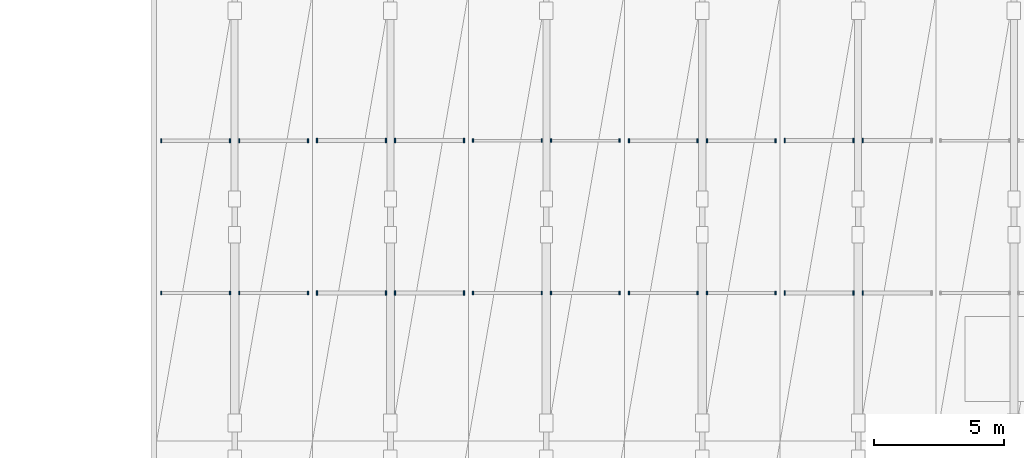
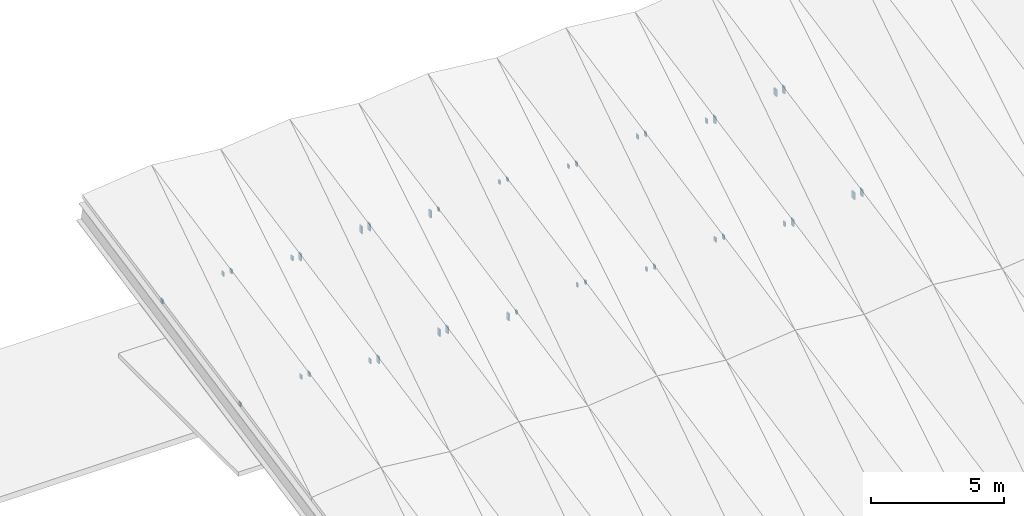
# One storey, part 45 of 52: 38 discrete accessories.
"""IFC4 building model written with IfcOpenShell, lengths in metres."""

from ifc_helpers import new_model, si_unit, direction, frame, origin, origin_2d, place, context, subcontext, project, spatial, rectangle, extrude, material, layer, layer_set, type_object, element, save


model = new_model("IFC4")

# Units and contexts
model_context = context("Model", 3, precision=1e-05, world=origin(), true_north=direction((0.0, 1.0)))
body_context = subcontext(model_context, "Body", "Model", "MODEL_VIEW")
ifc_project = project(units=[si_unit("LENGTHUNIT", "METRE"), si_unit("AREAUNIT", "SQUARE_METRE"), si_unit("VOLUMEUNIT", "CUBIC_METRE"), si_unit("PLANEANGLEUNIT", "RADIAN"), si_unit("MASSUNIT", "GRAM", prefix="KILO")], contexts=[model_context])

# Site, building, storey
site_placement = place(None, origin())
site = spatial("IfcSite", under=ifc_project, at=site_placement, CompositionType="ELEMENT")
building_placement = place(site_placement, origin())
building = spatial("IfcBuilding", under=site, at=building_placement, Name="Vaelkrest Opera House", CompositionType="ELEMENT")
storey_placement = place(building_placement, frame((0.0, 0.0, 41.39990234375)))
storey = spatial("IfcBuildingStorey", under=building, at=storey_placement, Name="ROOF", CompositionType="ELEMENT", Elevation=41.39990234375)

# Discrete accessories
ifc_material = material(Name="Steel A572 Gr50", Category="steel")
ifc_layer = layer(ifc_material, 0.320068359375)
ifc_layer_set = layer_set([ifc_layer], Name="Steel A572 Gr50")
discrete_accessory_type = type_object("IfcDiscreteAccessoryType", Name="ECP01", PredefinedType="USERDEFINED", material=ifc_layer_set)
for number, where, z_axis, x_axis, name in (
    (1, (-75.422607421875, 6.14306640625, -13.27294921875), (0.0, 0.0, 1.0), (1.0, 0.0, 0.0), "Purlin HSS end cap plate V3-01-S2-33-W0"),
    (2, (-72.777587890625, 6.14306640625, -12.94873046875), (0.0, 0.0, 1.0), (1.0, 0.0, 0.0), "Purlin HSS end cap plate V3-01-S2-33-W1"),
    (3, (-72.422607421875, 6.14306640625, -12.94873046875), (0.0, 0.0, 1.0), (1.0, 0.0, 0.0), "Purlin HSS end cap plate V3-01-S2-33-E0"),
    (4, (-69.777587890625, 6.14306640625, -13.27294921875), (0.0, 0.0, 1.0), (1.0, 0.0, 0.0), "Purlin HSS end cap plate V3-01-S2-33-E1"),
    (5, (-75.422607421875, 12.008056640625, -12.10400390625), (0.0, 0.0, 1.0), (1.0, 0.0, 0.0), "Purlin HSS end cap plate V3-01-S2-67-W0"),
    (6, (-72.777587890625, 12.008056640625, -11.77978515625), (0.0, 0.0, 1.0), (1.0, 0.0, 0.0), "Purlin HSS end cap plate V3-01-S2-67-W1"),
    (7, (-72.422607421875, 12.008056640625, -11.77978515625), (0.0, 0.0, 1.0), (1.0, 0.0, 0.0), "Purlin HSS end cap plate V3-01-S2-67-E0"),
    (8, (-69.777587890625, 12.008056640625, -12.10400390625), (0.0, 0.0, 1.0), (1.0, 0.0, 0.0), "Purlin HSS end cap plate V3-01-S2-67-E1"),
):
    element("IfcDiscreteAccessory", number, at=place(storey_placement, frame(where, z_axis=z_axis, x_axis=x_axis)), inside=storey, type_object=discrete_accessory_type, Name=name, ObjectType="CAP PLATE", PredefinedType="USERDEFINED", context=body_context, shape_type="SweptSolid", body=[
        extrude(rectangle(XDim=0.054931640625, YDim=0.15087890625, at=origin_2d()), origin(), (0.0, 0.0, 1.0), 0.194091796875),
    ])
for number, where, z_axis, x_axis, name in (
    (9, (-69.422607421875, 6.14306640625, -13.400390625), (0.0, 0.0, 1.0), (1.0, 0.0, 0.0), "Purlin HSS end cap plate V3-02-S2-33-W0"),
    (10, (-66.777587890625, 6.14306640625, -13.07666015625), (0.0, 0.0, 1.0), (1.0, 0.0, 0.0), "Purlin HSS end cap plate V3-02-S2-33-W1"),
    (11, (-66.422607421875, 6.14306640625, -13.07666015625), (0.0, 0.0, 1.0), (1.0, 0.0, 0.0), "Purlin HSS end cap plate V3-02-S2-33-E0"),
    (12, (-63.777587890625, 6.14306640625, -13.400390625), (0.0, 0.0, 1.0), (1.0, 0.0, 0.0), "Purlin HSS end cap plate V3-02-S2-33-E1"),
    (13, (-69.422607421875, 12.008056640625, -12.2314453125), (0.0, 0.0, 1.0), (1.0, 0.0, 0.0), "Purlin HSS end cap plate V3-02-S2-67-W0"),
    (14, (-66.777587890625, 12.008056640625, -11.9072265625), (0.0, 0.0, 1.0), (1.0, 0.0, 0.0), "Purlin HSS end cap plate V3-02-S2-67-W1"),
    (15, (-66.422607421875, 12.008056640625, -11.9072265625), (0.0, 0.0, 1.0), (1.0, 0.0, 0.0), "Purlin HSS end cap plate V3-02-S2-67-E0"),
    (16, (-63.777587890625, 12.008056640625, -12.2314453125), (0.0, 0.0, 1.0), (1.0, 0.0, 0.0), "Purlin HSS end cap plate V3-02-S2-67-E1"),
):
    element("IfcDiscreteAccessory", number, at=place(storey_placement, frame(where, z_axis=z_axis, x_axis=x_axis)), inside=storey, type_object=discrete_accessory_type, Name=name, ObjectType="CAP PLATE", PredefinedType="USERDEFINED", context=body_context, shape_type="SweptSolid", body=[
        extrude(rectangle(XDim=0.054931640625, YDim=0.176025390625, at=origin_2d()), origin(), (0.0, 0.0, 1.0), 0.321044921875),
    ])
for number, where, z_axis, x_axis, name in (
    (17, (-63.422607421875, 6.14306640625, -13.246826171875), (0.0, 0.0, 1.0), (1.0, 0.0, 0.0), "Purlin HSS end cap plate V3-03-S2-33-W0"),
    (18, (-60.777587890625, 6.14306640625, -12.9228515625), (0.0, 0.0, 1.0), (1.0, 0.0, 0.0), "Purlin HSS end cap plate V3-03-S2-33-W1"),
    (19, (-60.422607421875, 6.14306640625, -12.9228515625), (0.0, 0.0, 1.0), (1.0, 0.0, 0.0), "Purlin HSS end cap plate V3-03-S2-33-E0"),
    (20, (-57.777587890625, 6.14306640625, -13.246826171875), (0.0, 0.0, 1.0), (1.0, 0.0, 0.0), "Purlin HSS end cap plate V3-03-S2-33-E1"),
    (21, (-63.422607421875, 12.008056640625, -12.077880859375), (0.0, 0.0, 1.0), (1.0, 0.0, 0.0), "Purlin HSS end cap plate V3-03-S2-67-W0"),
    (22, (-60.777587890625, 12.008056640625, -11.75390625), (0.0, 0.0, 1.0), (1.0, 0.0, 0.0), "Purlin HSS end cap plate V3-03-S2-67-W1"),
    (23, (-60.422607421875, 12.008056640625, -11.75390625), (0.0, 0.0, 1.0), (1.0, 0.0, 0.0), "Purlin HSS end cap plate V3-03-S2-67-E0"),
    (24, (-57.777587890625, 12.008056640625, -12.077880859375), (0.0, 0.0, 1.0), (1.0, 0.0, 0.0), "Purlin HSS end cap plate V3-03-S2-67-E1"),
):
    element("IfcDiscreteAccessory", number, at=place(storey_placement, frame(where, z_axis=z_axis, x_axis=x_axis)), inside=storey, type_object=discrete_accessory_type, Name=name, ObjectType="CAP PLATE", PredefinedType="USERDEFINED", context=body_context, shape_type="SweptSolid", body=[
        extrude(rectangle(XDim=0.054931640625, YDim=0.1259765625, at=origin_2d()), origin(), (0.0, 0.0, 1.0), 0.16796875),
    ])
for number, where, z_axis, x_axis, name in (
    (25, (-57.422607421875, 6.14306640625, -13.27294921875), (0.0, 0.0, 1.0), (1.0, 0.0, 0.0), "Purlin HSS end cap plate V3-04-S2-33-W0"),
    (26, (-54.777587890625, 6.14306640625, -12.94873046875), (0.0, 0.0, 1.0), (1.0, 0.0, 0.0), "Purlin HSS end cap plate V3-04-S2-33-W1"),
    (27, (-54.422607421875, 6.14306640625, -12.94873046875), (0.0, 0.0, 1.0), (1.0, 0.0, 0.0), "Purlin HSS end cap plate V3-04-S2-33-E0"),
    (28, (-51.777587890625, 6.14306640625, -13.27294921875), (0.0, 0.0, 1.0), (1.0, 0.0, 0.0), "Purlin HSS end cap plate V3-04-S2-33-E1"),
    (29, (-57.422607421875, 12.008056640625, -12.10400390625), (0.0, 0.0, 1.0), (1.0, 0.0, 0.0), "Purlin HSS end cap plate V3-04-S2-67-W0"),
    (30, (-54.777587890625, 12.008056640625, -11.77978515625), (0.0, 0.0, 1.0), (1.0, 0.0, 0.0), "Purlin HSS end cap plate V3-04-S2-67-W1"),
    (31, (-54.422607421875, 12.008056640625, -11.77978515625), (0.0, 0.0, 1.0), (1.0, 0.0, 0.0), "Purlin HSS end cap plate V3-04-S2-67-E0"),
    (32, (-51.777587890625, 12.008056640625, -12.10400390625), (0.0, 0.0, 1.0), (1.0, 0.0, 0.0), "Purlin HSS end cap plate V3-04-S2-67-E1"),
):
    element("IfcDiscreteAccessory", number, at=place(storey_placement, frame(where, z_axis=z_axis, x_axis=x_axis)), inside=storey, type_object=discrete_accessory_type, Name=name, ObjectType="CAP PLATE", PredefinedType="USERDEFINED", context=body_context, shape_type="SweptSolid", body=[
        extrude(rectangle(XDim=0.054931640625, YDim=0.15087890625, at=origin_2d()), origin(), (0.0, 0.0, 1.0), 0.194091796875),
    ])
for number, where, z_axis, x_axis, name in (
    (33, (-51.422607421875, 6.14306640625, -13.400390625), (0.0, 0.0, 1.0), (1.0, 0.0, 0.0), "Purlin HSS end cap plate V3-05-S2-33-W0"),
    (34, (-48.777587890625, 6.14306640625, -13.07666015625), (0.0, 0.0, 1.0), (1.0, 0.0, 0.0), "Purlin HSS end cap plate V3-05-S2-33-W1"),
    (35, (-48.422607421875, 6.14306640625, -13.07666015625), (0.0, 0.0, 1.0), (1.0, 0.0, 0.0), "Purlin HSS end cap plate V3-05-S2-33-E0"),
    (36, (-51.422607421875, 12.008056640625, -12.2314453125), (0.0, 0.0, 1.0), (1.0, 0.0, 0.0), "Purlin HSS end cap plate V3-05-S2-67-W0"),
    (37, (-48.777587890625, 12.008056640625, -11.9072265625), (0.0, 0.0, 1.0), (1.0, 0.0, 0.0), "Purlin HSS end cap plate V3-05-S2-67-W1"),
    (38, (-48.422607421875, 12.008056640625, -11.9072265625), (0.0, 0.0, 1.0), (1.0, 0.0, 0.0), "Purlin HSS end cap plate V3-05-S2-67-E0"),
):
    element("IfcDiscreteAccessory", number, at=place(storey_placement, frame(where, z_axis=z_axis, x_axis=x_axis)), inside=storey, type_object=discrete_accessory_type, Name=name, ObjectType="CAP PLATE", PredefinedType="USERDEFINED", context=body_context, shape_type="SweptSolid", body=[
        extrude(rectangle(XDim=0.054931640625, YDim=0.176025390625, at=origin_2d()), origin(), (0.0, 0.0, 1.0), 0.321044921875),
    ])

save(model, "model.ifc")
